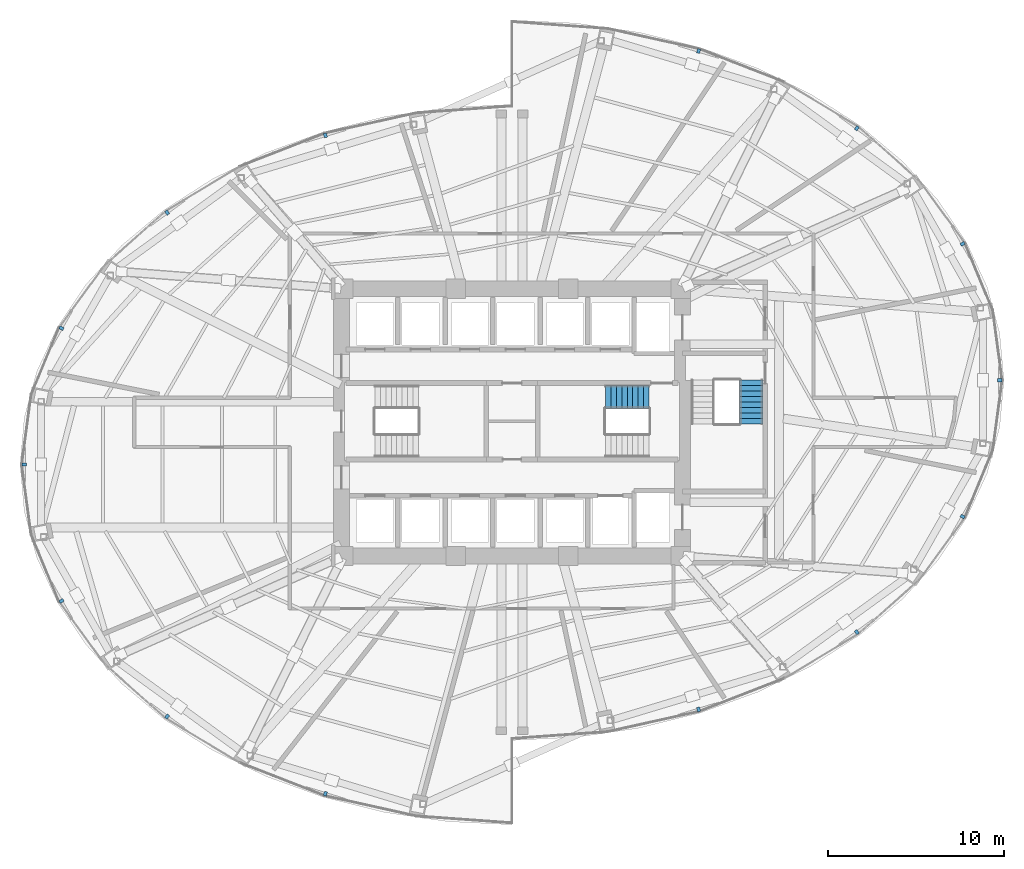
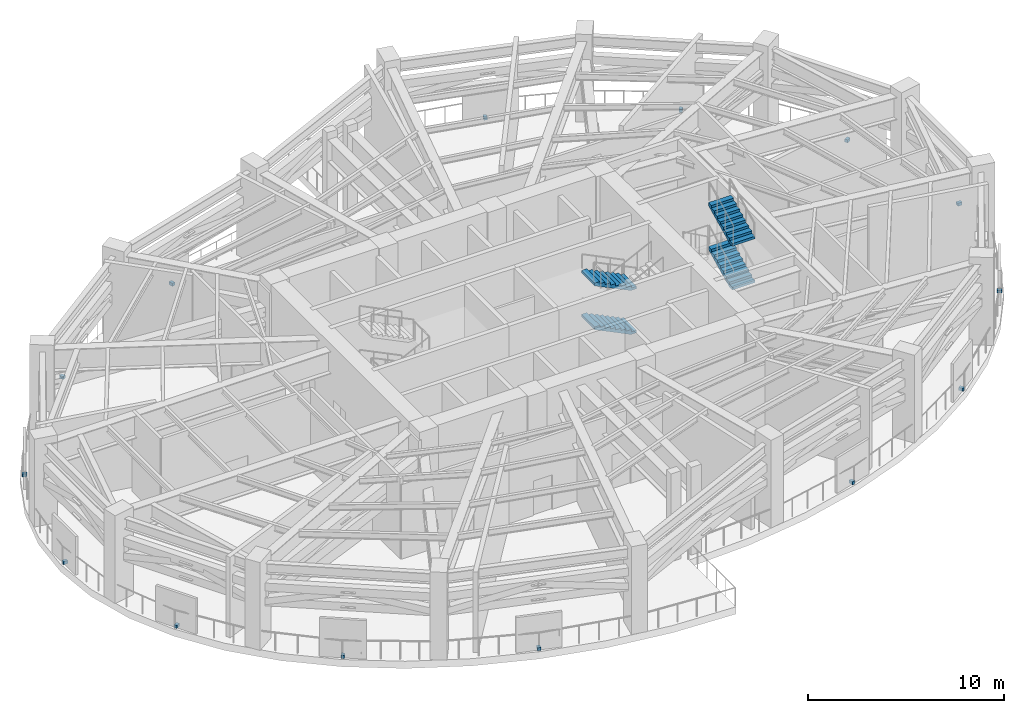
# One storey, part 11 of 14: 14 discrete accessories, 4 stair flights, 2 elements without a shape of their own.
"""IFC4 building model written with IfcOpenShell, lengths in metres."""

import ifcopenshell
import ifcopenshell.guid

model = None  # the IFC model being written
_history = None  # IfcOwnerHistory: only IFC2X3 demands one
_inside = {}  # id of a spatial element -> (the spatial element, [elements in it])
_under = {}  # id of a project, library or spatial element -> (it, [spatial elements below it])
_declared = {}  # id of a project -> (the project, [libraries it declares])
_typed = {}  # id of a type object -> (the type object, [elements of that type])
_made_of = {}  # id of a material, layer set ... -> (it, [elements and type objects made of it])


def new_model(schema):
    """Start an empty IFC model of exactly this schema.

    Asked for "IFC4X3", IfcOpenShell would pick the latest addendum, in which some entities
    have other attributes; the version numbers below select the first issue.
    IFC2X3 requires an IfcOwnerHistory on every rooted entity: one is made here for all.
    """
    global model, _history
    if schema == "IFC4X3":
        model = ifcopenshell.file(schema_version=(4, 3, 0, 0))
    else:
        model = ifcopenshell.file(schema=schema)
    _inside.clear()
    _under.clear()
    _declared.clear()
    _typed.clear()
    _made_of.clear()
    _history = None
    if model.schema == "IFC2X3":
        org = make("IfcOrganization", Name="unknown")
        user = make(
            "IfcPersonAndOrganization",
            ThePerson=make("IfcPerson", FamilyName="unknown"),
            TheOrganization=org,
        )
        app = make(
            "IfcApplication",
            ApplicationDeveloper=org,
            Version="unknown",
            ApplicationFullName="unknown",
            ApplicationIdentifier="unknown",
        )
        _history = make(
            "IfcOwnerHistory",
            OwningUser=user,
            OwningApplication=app,
            ChangeAction="ADDED",
            CreationDate=0,
        )
    return model


def make(cls, **values):
    """One entity of the class cls with the attributes given. An attribute that is None is left unset."""
    return model.create_entity(
        cls, **{name: value for name, value in values.items() if value is not None}
    )


def rooted(cls, **values):
    """An entity with a GlobalId (a new one), such as an element, a storey or a relation."""
    return make(cls, GlobalId=ifcopenshell.guid.new(), OwnerHistory=_history, **values)


def si_unit(unit_type, name, prefix=None):
    """IfcSIUnit, for example si_unit("LENGTHUNIT", "METRE", prefix="MILLI")."""
    return make("IfcSIUnit", UnitType=unit_type, Prefix=prefix, Name=name)


def assignment(units):
    """IfcUnitAssignment: the units of a project."""
    return None if units is None else make("IfcUnitAssignment", Units=units)


def point(xyz):
    """IfcCartesianPoint."""
    return None if xyz is None else make("IfcCartesianPoint", Coordinates=xyz)


def direction(xyz):
    """IfcDirection."""
    return None if xyz is None else make("IfcDirection", DirectionRatios=xyz)


def frame(location, z_axis=None, x_axis=None):
    """IfcAxis2Placement3D, a coordinate frame: its origin and axes. An axis left out is left unset."""
    return make(
        "IfcAxis2Placement3D",
        Location=point(location),
        Axis=direction(z_axis),
        RefDirection=direction(x_axis),
    )


def frame_2d(location, x_axis=None):
    """IfcAxis2Placement2D, a coordinate frame in the plane: its origin and x axis."""
    return make(
        "IfcAxis2Placement2D", Location=point(location), RefDirection=direction(x_axis)
    )


def origin():
    """The frame at (0, 0, 0) with its axes left unset."""
    return frame((0.0, 0.0, 0.0))


def origin_2d():
    """The frame at (0, 0) in the plane with its x axis left unset."""
    return frame_2d((0.0, 0.0))


def place(relative_to, where):
    """IfcLocalPlacement: puts the frame where relative to a parent placement (None: the world)."""
    return make(
        "IfcLocalPlacement", PlacementRelTo=relative_to, RelativePlacement=where
    )


def context(
    kind, dimensions, precision=None, world=None, true_north=None, identifier=None
):
    """IfcGeometricRepresentationContext, for example the 3D "Model" context."""
    return make(
        "IfcGeometricRepresentationContext",
        ContextIdentifier=identifier,
        ContextType=kind,
        CoordinateSpaceDimension=dimensions,
        Precision=precision,
        WorldCoordinateSystem=world,
        TrueNorth=true_north,
    )


def subcontext(parent, identifier, kind, view, scale=None):
    """IfcGeometricRepresentationSubContext, for example "Body" below "Model"."""
    return make(
        "IfcGeometricRepresentationSubContext",
        ContextIdentifier=identifier,
        ContextType=kind,
        ParentContext=parent,
        TargetScale=scale,
        TargetView=view,
    )


def project(units=None, contexts=None):
    """IfcProject with its units and contexts."""
    return rooted(
        "IfcProject",
        Name="project",
        RepresentationContexts=contexts,
        UnitsInContext=assignment(units),
    )


def spatial(cls, under=None, at=None, **own):
    """A site, building, storey or space (cls), placed at a placement, below another one or the project."""
    s = rooted(cls, ObjectPlacement=at, **own)
    if under is not None:
        _under.setdefault(under.id(), (under, []))[1].append(s)
    return s


def polyline(points):
    """IfcPolyline through the points."""
    return make("IfcPolyline", Points=[point(p) for p in points])


def profile(cls, at=None, kind="AREA", **sizes):
    """A parametric profile (cls). Its sizes go by their IFC names, for example OverallWidth=200.0."""
    return make(cls, ProfileType=kind, Position=at, **sizes)


def rectangle(**sizes):
    """IfcRectangleProfileDef."""
    return profile("IfcRectangleProfileDef", **sizes)


def outline(outer, holes=None, kind="AREA"):
    """IfcArbitraryClosedProfileDef: a profile drawn as a closed curve; with holes, ...WithVoids."""
    if holes is None:
        return make("IfcArbitraryClosedProfileDef", ProfileType=kind, OuterCurve=outer)
    return make(
        "IfcArbitraryProfileDefWithVoids",
        ProfileType=kind,
        OuterCurve=outer,
        InnerCurves=holes,
    )


def extrude(swept, where, along, depth):
    """IfcExtrudedAreaSolid: the profile swept, set in the frame where, extruded along a direction by depth."""
    return make(
        "IfcExtrudedAreaSolid",
        SweptArea=swept,
        Position=where,
        ExtrudedDirection=direction(along),
        Depth=depth,
    )


def shape(context_of_items, identifier, shape_type, items):
    """IfcShapeRepresentation: the items that make up one representation, for example the "Body"."""
    return make(
        "IfcShapeRepresentation",
        ContextOfItems=context_of_items,
        RepresentationIdentifier=identifier,
        RepresentationType=shape_type,
        Items=items,
    )


def material(Name=None, Category=None):
    """IfcMaterial."""
    return make("IfcMaterial", Name=Name, Category=Category)


def made_of(thing, what):
    """Note that an element or type object is made of a material, layer set ...; save() writes the relation."""
    if what is not None:
        _made_of.setdefault(what.id(), (what, []))[1].append(thing)
    return thing


def type_object(cls, material=None, **own):
    """A type object (cls), such as IfcWallType, which elements share."""
    return made_of(rooted(cls, **own), material)


def element(
    cls,
    number,
    at=None,
    inside=None,
    cuts=None,
    type_object=None,
    material=None,
    context=None,
    identifier="Body",
    shape_type=None,
    held_by="IfcProductDefinitionShape",
    body=None,
    shapes=None,
    **own,
):
    """One element of the class cls, such as IfcWall. Its Tag is "e" and its number.

    at: its placement. inside: the storey or other place that contains it. cuts: it is an
    opening in that element (IfcRelVoidsElement). A single representation is given by context,
    identifier, shape_type and body (its items); several are given by shapes. held_by: the class
    of the entity that holds the representations. save() writes the other relations.
    """
    e = rooted(cls, Tag="e%d" % number, ObjectPlacement=at, **own)
    if body is not None:
        shapes = [shape(context, identifier, shape_type, body)]
    if shapes is not None:
        e.Representation = make(held_by, Representations=shapes)
    if inside is not None:
        _inside.setdefault(inside.id(), (inside, []))[1].append(e)
    if cuts is not None:
        rooted(
            "IfcRelVoidsElement", RelatingBuildingElement=cuts, RelatedOpeningElement=e
        )
    if type_object is not None:
        _typed.setdefault(type_object.id(), (type_object, []))[1].append(e)
    return made_of(e, material)


def aggregate(whole, parts):
    """IfcRelAggregates: a whole, such as a stair, and the parts it consists of."""
    return rooted("IfcRelAggregates", RelatingObject=whole, RelatedObjects=parts)


def save(model, path):
    """Write the relations noted so far, then the file.

    IfcRelAggregates (storeys below a building ...), IfcRelContainedInSpatialStructure (elements
    in a storey), IfcRelDefinesByType, IfcRelAssociatesMaterial and IfcRelDeclares: one each for
    every whole, place, type object, material and project.
    """
    for whole, parts in _under.values():
        aggregate(whole, parts)
    for where, things in _inside.values():
        rooted(
            "IfcRelContainedInSpatialStructure",
            RelatedElements=things,
            RelatingStructure=where,
        )
    for kind, things in _typed.values():
        rooted("IfcRelDefinesByType", RelatedObjects=things, RelatingType=kind)
    for what, things in _made_of.values():
        rooted("IfcRelAssociatesMaterial", RelatedObjects=things, RelatingMaterial=what)
    for by, libraries in _declared.values():
        rooted("IfcRelDeclares", RelatingContext=by, RelatedDefinitions=libraries)
    model.write(path)


model = new_model("IFC4")

# Units and contexts
model_context = context("Model", 3, precision=1e-05, world=origin(), true_north=direction((0.0, 1.0)))
body_context = subcontext(model_context, "Body", "Model", "MODEL_VIEW")
ifc_project = project(units=[si_unit("LENGTHUNIT", "METRE"), si_unit("AREAUNIT", "SQUARE_METRE"), si_unit("VOLUMEUNIT", "CUBIC_METRE"), si_unit("PLANEANGLEUNIT", "RADIAN"), si_unit("MASSUNIT", "GRAM", prefix="KILO")], contexts=[model_context])

# Site, building, storey
site_placement = place(None, origin())
site = spatial("IfcSite", under=ifc_project, at=site_placement, CompositionType="ELEMENT")
building_placement = place(site_placement, origin())
building = spatial("IfcBuilding", under=site, at=building_placement, Name="Lazwardi Medical Tower", CompositionType="ELEMENT")
storey_placement = place(building_placement, frame((0.0, 0.0, 76.27197265625)))
storey = spatial("IfcBuildingStorey", under=building, at=storey_placement, Name="L19", CompositionType="ELEMENT", Elevation=76.27197265625)

# Stair, stair flights
ifc_material_1 = material(Name="Concrete C45/55", Category="concrete")
stair_type = type_object("IfcStairType", Name="STR-REF", PredefinedType="HALF_TURN_STAIR", material=ifc_material_1)
stair_1_placement = place(storey_placement, origin())
stair_1 = element("IfcStair", 1, at=stair_1_placement, inside=storey, type_object=stair_type, Name="L19 Protected Exit Stair ST2", PredefinedType="HALF_TURN_STAIR")
stair_flight_type = type_object("IfcStairFlightType", Name="FLT-REF", PredefinedType="STRAIGHT", material=ifc_material_1)
stair_flight_1_placement = place(storey_placement, frame((43.800048828125, 29.43994140625, 0.0), z_axis=(0.0, 0.0, 1.0), x_axis=(-1.0, 0.0, 0.0)))
stair_flight_1 = element("IfcStairFlight", 2, at=stair_flight_1_placement, type_object=stair_flight_type, Name="ST2 flight 1", NumberOfRisers=9, NumberOfTreads=8, PredefinedType="STRAIGHT", RiserHeight=0.152, TreadLength=0.31, context=body_context, shape_type="SweptSolid", body=[
    extrude(outline(polyline([(0.0, 0.0), (0.0, 0.152099609375), (0.31005859375, 0.152099609375), (0.31005859375, 0.303955078125), (0.6201171875, 0.303955078125), (0.6201171875, 0.4560546875), (0.929931640625, 0.4560546875), (0.929931640625, 0.60791015625), (1.239990234375, 0.60791015625), (1.239990234375, 0.760009765625), (1.550048828125, 0.760009765625), (1.550048828125, 0.912109375), (1.860107421875, 0.912109375), (1.860107421875, 1.06396484375), (2.169921875, 1.06396484375), (2.169921875, 1.216064453125), (2.47998046875, 1.216064453125), (2.47998046875, 1.367919921875), (2.47998046875, 1.049072265625), (0.340576171875, 0.0), (0.0, 0.0)])), frame((0.0, 0.66015625, 0.0), z_axis=(0.0, -1.0, 0.0), x_axis=(1.0, 0.0, 0.0)), (0.0, 0.0, 1.0), 1.320068359375),
])
stair_flight_2_placement = place(storey_placement, frame((43.800048828125, 29.43994140625, 2.736083984375), z_axis=(0.0, 0.0, 1.0), x_axis=(-1.0, 0.0, 0.0)))
stair_flight_2 = element("IfcStairFlight", 3, at=stair_flight_2_placement, type_object=stair_flight_type, Name="ST2 flight 3", NumberOfRisers=9, NumberOfTreads=8, PredefinedType="STRAIGHT", RiserHeight=0.152, TreadLength=0.31, context=body_context, shape_type="SweptSolid", body=[
    extrude(outline(polyline([(0.0, 0.0), (0.0, 0.152099609375), (0.31005859375, 0.152099609375), (0.31005859375, 0.303955078125), (0.6201171875, 0.303955078125), (0.6201171875, 0.4560546875), (0.929931640625, 0.4560546875), (0.929931640625, 0.60791015625), (1.239990234375, 0.60791015625), (1.239990234375, 0.760009765625), (1.550048828125, 0.760009765625), (1.550048828125, 0.912109375), (1.860107421875, 0.912109375), (1.860107421875, 1.06396484375), (2.169921875, 1.06396484375), (2.169921875, 1.216064453125), (2.47998046875, 1.216064453125), (2.47998046875, 1.367919921875), (2.47998046875, 1.049072265625), (0.340576171875, 0.0), (0.0, 0.0)])), frame((0.0, 0.66015625, 0.0), z_axis=(0.0, -1.0, 0.0), x_axis=(1.0, 0.0, 0.0)), (0.0, 0.0, 1.0), 1.320068359375),
])
aggregate(stair_1, [stair_flight_1, stair_flight_2])

stair_2_placement = place(storey_placement, origin())
stair_2 = element("IfcStair", 4, at=stair_2_placement, inside=storey, type_object=stair_type, Name="L19 Protected Exit Stair ST3", PredefinedType="HALF_TURN_STAIR")
stair_flight_3_placement = place(storey_placement, frame((49.6201171875, 27.919921875, 1.367919921875), z_axis=(0.0, 0.0, 1.0), x_axis=(0.0, 1.0, 0.0)))
stair_flight_3 = element("IfcStairFlight", 5, at=stair_flight_3_placement, type_object=stair_flight_type, Name="ST3 flight 2", NumberOfRisers=9, NumberOfTreads=8, PredefinedType="STRAIGHT", RiserHeight=0.152, TreadLength=0.31, context=body_context, shape_type="SweptSolid", body=[
    extrude(outline(polyline([(0.0, 0.0), (0.0, 0.152099609375), (0.31005859375, 0.152099609375), (0.31005859375, 0.303955078125), (0.6201171875, 0.303955078125), (0.6201171875, 0.4560546875), (0.929931640625, 0.4560546875), (0.929931640625, 0.60791015625), (1.239990234375, 0.60791015625), (1.239990234375, 0.760009765625), (1.550048828125, 0.760009765625), (1.550048828125, 0.912109375), (1.860107421875, 0.912109375), (1.860107421875, 1.06396484375), (2.169921875, 1.06396484375), (2.169921875, 1.216064453125), (2.47998046875, 1.216064453125), (2.47998046875, 1.367919921875), (2.47998046875, 1.049072265625), (0.340576171875, 0.0), (0.0, 0.0)])), frame((0.0, 0.66015625, 0.0), z_axis=(0.0, -1.0, 0.0), x_axis=(1.0, 0.0, 0.0)), (0.0, 0.0, 1.0), 1.320068359375),
])
stair_flight_4_placement = place(storey_placement, frame((49.6201171875, 27.919921875, 4.10400390625), z_axis=(0.0, 0.0, 1.0), x_axis=(0.0, 1.0, 0.0)))
stair_flight_4 = element("IfcStairFlight", 6, at=stair_flight_4_placement, type_object=stair_flight_type, Name="ST3 flight 4", NumberOfRisers=9, NumberOfTreads=8, PredefinedType="STRAIGHT", RiserHeight=0.152, TreadLength=0.31, context=body_context, shape_type="SweptSolid", body=[
    extrude(outline(polyline([(0.0, 0.0), (0.0, 0.152099609375), (0.31005859375, 0.152099609375), (0.31005859375, 0.303955078125), (0.6201171875, 0.303955078125), (0.6201171875, 0.4560546875), (0.929931640625, 0.4560546875), (0.929931640625, 0.60791015625), (1.239990234375, 0.60791015625), (1.239990234375, 0.760009765625), (1.550048828125, 0.760009765625), (1.550048828125, 0.912109375), (1.860107421875, 0.912109375), (1.860107421875, 1.06396484375), (2.169921875, 1.06396484375), (2.169921875, 1.216064453125), (2.47998046875, 1.216064453125), (2.47998046875, 1.367919921875), (2.47998046875, 1.049072265625), (0.340576171875, 0.0), (0.0, 0.0)])), frame((0.0, 0.66015625, 0.0), z_axis=(0.0, -1.0, 0.0), x_axis=(1.0, 0.0, 0.0)), (0.0, 0.0, 1.0), 1.320068359375),
])
aggregate(stair_2, [stair_flight_3, stair_flight_4])

# Discrete accessories
ifc_material_2 = material(Name="Steel S355", Category="steel")
discrete_accessory_type = type_object("IfcDiscreteAccessoryType", Name="ACC-BRK-01", PredefinedType="BRACKET", material=ifc_material_2)
for number, where, z_axis, x_axis, name in (
    (7, (46.62109375, 11.666259765625, 0.0), (0.0, 0.0, 1.0), (0.957133660406, 0.289646605568, 0.0), "L19 Facade Screen Bracket 01"),
    (8, (55.625, 16.061767578125, 0.0), (0.0, 0.0, 1.0), (0.807455843175, 0.589928013678, 0.0), "L19 Facade Screen Bracket 02"),
    (9, (61.6416015625, 22.64013671875, 0.0), (0.0, 0.0, 1.0), (0.493193529244, 0.869919618535, 0.0), "L19 Facade Screen Bracket 03"),
    (10, (63.754150390625, 30.39990234375, 0.0), (0.0, 0.0, 1.0), (0.0, 1.0, 0.0), "L19 Facade Screen Bracket 04"),
    (11, (61.6416015625, 38.159912109375, 0.0), (0.0, 0.0, 1.0), (-0.493193529244, 0.869919618535, 0.0), "L19 Facade Screen Bracket 05"),
    (12, (55.625, 44.73828125, 0.0), (0.0, 0.0, 1.0), (-0.807455843175, 0.589928013678, 0.0), "L19 Facade Screen Bracket 06"),
    (13, (46.62109375, 49.1337890625, 0.0), (0.0, 0.0, 1.0), (-0.957133660406, 0.289646605568, 0.0), "L19 Facade Screen Bracket 07"),
    (14, (25.37890625, 44.333740234375, 0.0), (0.0, 0.0, 1.0), (-0.957133660406, -0.289646605568, 0.0), "L19 Facade Screen Bracket 09"),
    (15, (16.374755859375, 39.938232421875, 0.0), (0.0, 0.0, 1.0), (-0.807455843175, -0.589928013678, 0.0), "L19 Facade Screen Bracket 10"),
    (16, (10.3583984375, 33.35986328125, 0.0), (0.0, 0.0, 1.0), (-0.493193529244, -0.869919618535, 0.0), "L19 Facade Screen Bracket 11"),
    (17, (8.245849609375, 25.60009765625, 0.0), (0.0, 0.0, 1.0), (0.0, -1.0, 0.0), "L19 Facade Screen Bracket 12"),
    (18, (10.3583984375, 17.840087890625, 0.0), (0.0, 0.0, 1.0), (0.493193529244, -0.869919618535, 0.0), "L19 Facade Screen Bracket 13"),
    (19, (16.374755859375, 11.26171875, 0.0), (0.0, 0.0, 1.0), (0.807455843175, -0.589928013678, 0.0), "L19 Facade Screen Bracket 14"),
    (20, (25.37890625, 6.8662109375, 0.0), (0.0, 0.0, 1.0), (0.957133660406, -0.289646605568, 0.0), "L19 Facade Screen Bracket 15"),
):
    element("IfcDiscreteAccessory", number, at=place(storey_placement, frame(where, z_axis=z_axis, x_axis=x_axis)), inside=storey, type_object=discrete_accessory_type, Name=name, PredefinedType="BRACKET", context=body_context, shape_type="SweptSolid", body=[
        extrude(rectangle(XDim=0.179931640625, YDim=0.25, at=origin_2d()), origin(), (0.0, 0.0, 1.0), 0.179931640625),
    ])

save(model, "model.ifc")
